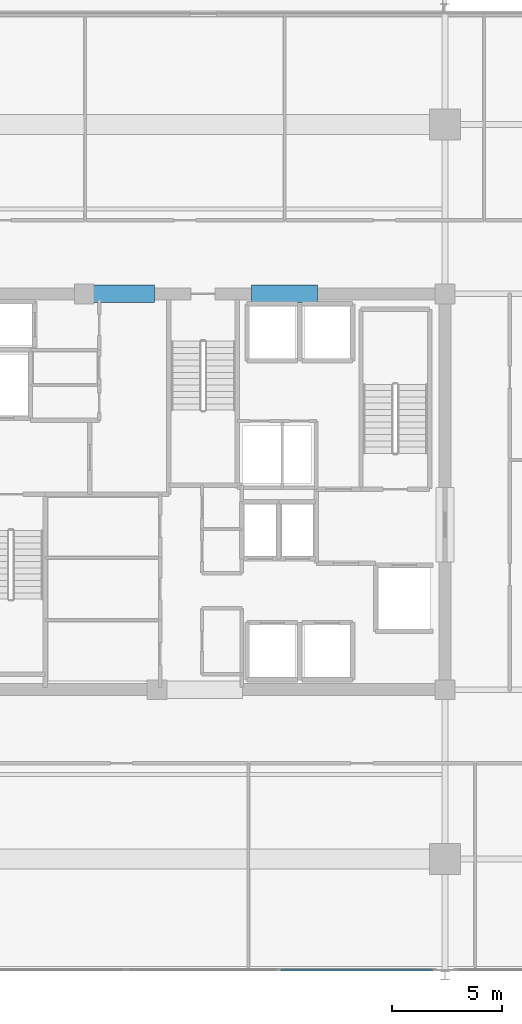
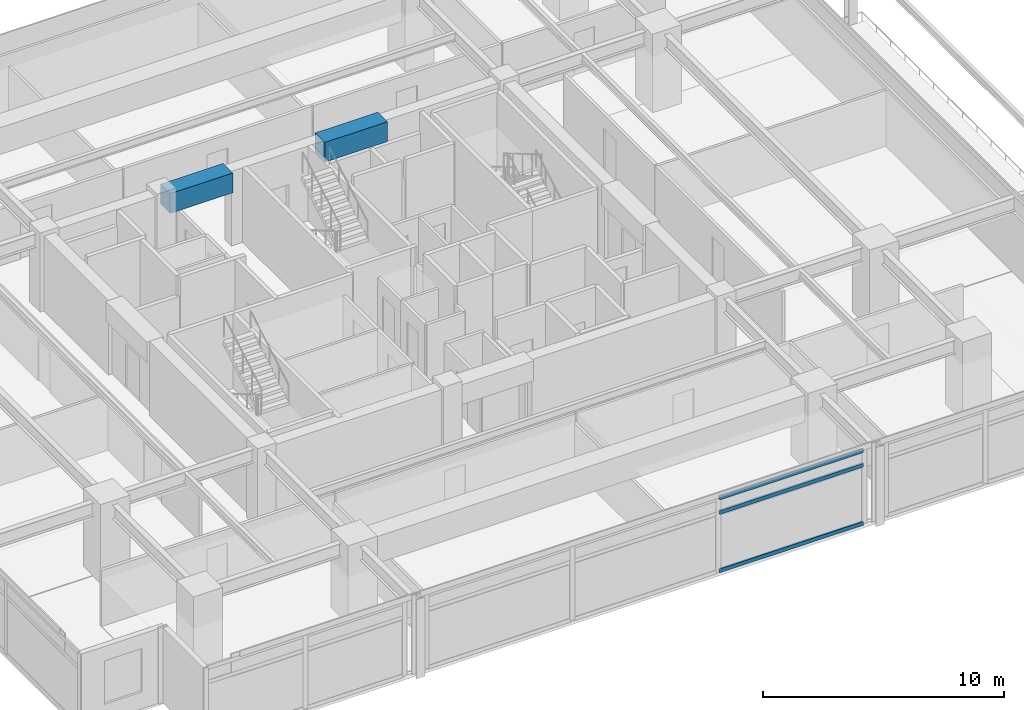
# One storey, part 8 of 21: 3 members, 2 beams, 1 element without a shape of its own.
"""IFC4 building model written with IfcOpenShell, lengths in metres."""

import ifcopenshell
import ifcopenshell.guid

model = None  # the IFC model being written
_history = None  # IfcOwnerHistory: only IFC2X3 demands one
_inside = {}  # id of a spatial element -> (the spatial element, [elements in it])
_under = {}  # id of a project, library or spatial element -> (it, [spatial elements below it])
_declared = {}  # id of a project -> (the project, [libraries it declares])
_typed = {}  # id of a type object -> (the type object, [elements of that type])
_made_of = {}  # id of a material, layer set ... -> (it, [elements and type objects made of it])


def new_model(schema):
    """Start an empty IFC model of exactly this schema.

    Asked for "IFC4X3", IfcOpenShell would pick the latest addendum, in which some entities
    have other attributes; the version numbers below select the first issue.
    IFC2X3 requires an IfcOwnerHistory on every rooted entity: one is made here for all.
    """
    global model, _history
    if schema == "IFC4X3":
        model = ifcopenshell.file(schema_version=(4, 3, 0, 0))
    else:
        model = ifcopenshell.file(schema=schema)
    _inside.clear()
    _under.clear()
    _declared.clear()
    _typed.clear()
    _made_of.clear()
    _history = None
    if model.schema == "IFC2X3":
        org = make("IfcOrganization", Name="unknown")
        user = make(
            "IfcPersonAndOrganization",
            ThePerson=make("IfcPerson", FamilyName="unknown"),
            TheOrganization=org,
        )
        app = make(
            "IfcApplication",
            ApplicationDeveloper=org,
            Version="unknown",
            ApplicationFullName="unknown",
            ApplicationIdentifier="unknown",
        )
        _history = make(
            "IfcOwnerHistory",
            OwningUser=user,
            OwningApplication=app,
            ChangeAction="ADDED",
            CreationDate=0,
        )
    return model


def make(cls, **values):
    """One entity of the class cls with the attributes given. An attribute that is None is left unset."""
    return model.create_entity(
        cls, **{name: value for name, value in values.items() if value is not None}
    )


def rooted(cls, **values):
    """An entity with a GlobalId (a new one), such as an element, a storey or a relation."""
    return make(cls, GlobalId=ifcopenshell.guid.new(), OwnerHistory=_history, **values)


def si_unit(unit_type, name, prefix=None):
    """IfcSIUnit, for example si_unit("LENGTHUNIT", "METRE", prefix="MILLI")."""
    return make("IfcSIUnit", UnitType=unit_type, Prefix=prefix, Name=name)


def assignment(units):
    """IfcUnitAssignment: the units of a project."""
    return None if units is None else make("IfcUnitAssignment", Units=units)


def point(xyz):
    """IfcCartesianPoint."""
    return None if xyz is None else make("IfcCartesianPoint", Coordinates=xyz)


def direction(xyz):
    """IfcDirection."""
    return None if xyz is None else make("IfcDirection", DirectionRatios=xyz)


def frame(location, z_axis=None, x_axis=None):
    """IfcAxis2Placement3D, a coordinate frame: its origin and axes. An axis left out is left unset."""
    return make(
        "IfcAxis2Placement3D",
        Location=point(location),
        Axis=direction(z_axis),
        RefDirection=direction(x_axis),
    )


def frame_2d(location, x_axis=None):
    """IfcAxis2Placement2D, a coordinate frame in the plane: its origin and x axis."""
    return make(
        "IfcAxis2Placement2D", Location=point(location), RefDirection=direction(x_axis)
    )


def origin():
    """The frame at (0, 0, 0) with its axes left unset."""
    return frame((0.0, 0.0, 0.0))


def origin_2d():
    """The frame at (0, 0) in the plane with its x axis left unset."""
    return frame_2d((0.0, 0.0))


def place(relative_to, where):
    """IfcLocalPlacement: puts the frame where relative to a parent placement (None: the world)."""
    return make(
        "IfcLocalPlacement", PlacementRelTo=relative_to, RelativePlacement=where
    )


def context(
    kind, dimensions, precision=None, world=None, true_north=None, identifier=None
):
    """IfcGeometricRepresentationContext, for example the 3D "Model" context."""
    return make(
        "IfcGeometricRepresentationContext",
        ContextIdentifier=identifier,
        ContextType=kind,
        CoordinateSpaceDimension=dimensions,
        Precision=precision,
        WorldCoordinateSystem=world,
        TrueNorth=true_north,
    )


def subcontext(parent, identifier, kind, view, scale=None):
    """IfcGeometricRepresentationSubContext, for example "Body" below "Model"."""
    return make(
        "IfcGeometricRepresentationSubContext",
        ContextIdentifier=identifier,
        ContextType=kind,
        ParentContext=parent,
        TargetScale=scale,
        TargetView=view,
    )


def project(units=None, contexts=None):
    """IfcProject with its units and contexts."""
    return rooted(
        "IfcProject",
        Name="project",
        RepresentationContexts=contexts,
        UnitsInContext=assignment(units),
    )


def spatial(cls, under=None, at=None, **own):
    """A site, building, storey or space (cls), placed at a placement, below another one or the project."""
    s = rooted(cls, ObjectPlacement=at, **own)
    if under is not None:
        _under.setdefault(under.id(), (under, []))[1].append(s)
    return s


def profile(cls, at=None, kind="AREA", **sizes):
    """A parametric profile (cls). Its sizes go by their IFC names, for example OverallWidth=200.0."""
    return make(cls, ProfileType=kind, Position=at, **sizes)


def rectangle(**sizes):
    """IfcRectangleProfileDef."""
    return profile("IfcRectangleProfileDef", **sizes)


def hollow_rectangle(**sizes):
    """IfcRectangleHollowProfileDef."""
    return profile("IfcRectangleHollowProfileDef", **sizes)


def extrude(swept, where, along, depth):
    """IfcExtrudedAreaSolid: the profile swept, set in the frame where, extruded along a direction by depth."""
    return make(
        "IfcExtrudedAreaSolid",
        SweptArea=swept,
        Position=where,
        ExtrudedDirection=direction(along),
        Depth=depth,
    )


def shape(context_of_items, identifier, shape_type, items):
    """IfcShapeRepresentation: the items that make up one representation, for example the "Body"."""
    return make(
        "IfcShapeRepresentation",
        ContextOfItems=context_of_items,
        RepresentationIdentifier=identifier,
        RepresentationType=shape_type,
        Items=items,
    )


def material(Name=None, Category=None):
    """IfcMaterial."""
    return make("IfcMaterial", Name=Name, Category=Category)


def material_profile(
    of_material, cross_section, Name=None, Category=None, Priority=None
):
    """IfcMaterialProfile: a cross section and its material."""
    return make(
        "IfcMaterialProfile",
        Name=Name,
        Material=of_material,
        Profile=cross_section,
        Priority=Priority,
        Category=Category,
    )


def profile_set(profiles, Name=None, composite=None):
    """IfcMaterialProfileSet."""
    return make(
        "IfcMaterialProfileSet",
        Name=Name,
        MaterialProfiles=profiles,
        CompositeProfile=composite,
    )


def made_of(thing, what):
    """Note that an element or type object is made of a material, layer set ...; save() writes the relation."""
    if what is not None:
        _made_of.setdefault(what.id(), (what, []))[1].append(thing)
    return thing


def type_object(cls, material=None, **own):
    """A type object (cls), such as IfcWallType, which elements share."""
    return made_of(rooted(cls, **own), material)


def element(
    cls,
    number,
    at=None,
    inside=None,
    cuts=None,
    type_object=None,
    material=None,
    context=None,
    identifier="Body",
    shape_type=None,
    held_by="IfcProductDefinitionShape",
    body=None,
    shapes=None,
    **own,
):
    """One element of the class cls, such as IfcWall. Its Tag is "e" and its number.

    at: its placement. inside: the storey or other place that contains it. cuts: it is an
    opening in that element (IfcRelVoidsElement). A single representation is given by context,
    identifier, shape_type and body (its items); several are given by shapes. held_by: the class
    of the entity that holds the representations. save() writes the other relations.
    """
    e = rooted(cls, Tag="e%d" % number, ObjectPlacement=at, **own)
    if body is not None:
        shapes = [shape(context, identifier, shape_type, body)]
    if shapes is not None:
        e.Representation = make(held_by, Representations=shapes)
    if inside is not None:
        _inside.setdefault(inside.id(), (inside, []))[1].append(e)
    if cuts is not None:
        rooted(
            "IfcRelVoidsElement", RelatingBuildingElement=cuts, RelatedOpeningElement=e
        )
    if type_object is not None:
        _typed.setdefault(type_object.id(), (type_object, []))[1].append(e)
    return made_of(e, material)


def aggregate(whole, parts):
    """IfcRelAggregates: a whole, such as a stair, and the parts it consists of."""
    return rooted("IfcRelAggregates", RelatingObject=whole, RelatedObjects=parts)


def save(model, path):
    """Write the relations noted so far, then the file.

    IfcRelAggregates (storeys below a building ...), IfcRelContainedInSpatialStructure (elements
    in a storey), IfcRelDefinesByType, IfcRelAssociatesMaterial and IfcRelDeclares: one each for
    every whole, place, type object, material and project.
    """
    for whole, parts in _under.values():
        aggregate(whole, parts)
    for where, things in _inside.values():
        rooted(
            "IfcRelContainedInSpatialStructure",
            RelatedElements=things,
            RelatingStructure=where,
        )
    for kind, things in _typed.values():
        rooted("IfcRelDefinesByType", RelatedObjects=things, RelatingType=kind)
    for what, things in _made_of.values():
        rooted("IfcRelAssociatesMaterial", RelatedObjects=things, RelatingMaterial=what)
    for by, libraries in _declared.values():
        rooted("IfcRelDeclares", RelatingContext=by, RelatedDefinitions=libraries)
    model.write(path)


model = new_model("IFC4")

# Units and contexts
model_context = context("Model", 3, precision=1e-05, world=origin(), true_north=direction((0.0, 1.0)))
body_context = subcontext(model_context, "Body", "Model", "MODEL_VIEW")
ifc_project = project(units=[si_unit("LENGTHUNIT", "METRE"), si_unit("AREAUNIT", "SQUARE_METRE"), si_unit("VOLUMEUNIT", "CUBIC_METRE"), si_unit("PLANEANGLEUNIT", "RADIAN"), si_unit("MASSUNIT", "GRAM", prefix="KILO")], contexts=[model_context])

# Site, building, storey
site_placement = place(None, origin())
site = spatial("IfcSite", under=ifc_project, at=site_placement, CompositionType="ELEMENT")
building_placement = place(site_placement, origin())
building = spatial("IfcBuilding", under=site, at=building_placement, Name="Kovane Verandah Tower", CompositionType="ELEMENT")
storey_placement = place(building_placement, frame((0.0, 0.0, 209.199951171875)))
storey = spatial("IfcBuildingStorey", under=building, at=storey_placement, Name="L48", CompositionType="ELEMENT", Elevation=209.199951171875)

# Beams
ifc_material_1 = material(Name="Concrete C60/75", Category="concrete")
ifc_material_profile_1 = material_profile(ifc_material_1, rectangle(XDim=0.800048828125, YDim=1.0, at=origin_2d()), Name="RCB800x1000")
ifc_profile_set_1 = profile_set([ifc_material_profile_1], Name="Concrete C60/75")
beam_type = type_object("IfcBeamType", Name="BM-LINTEL-800x1000", PredefinedType="LINTEL", material=ifc_profile_set_1)
for number, where, z_axis, x_axis, name in (
    (1, (34.800048828125, 36.5, 3.275146484375), (1.0, 0.0, 0.0), (0.0, 1.0, 0.0), "L48 Core Coupling Lintel CL-N1"),
    (2, (42.199951171875, 36.5, 3.275146484375), (1.0, 0.0, 0.0), (0.0, 1.0, 0.0), "L48 Core Coupling Lintel CL-N2"),
):
    element("IfcBeam", number, at=place(storey_placement, frame(where, z_axis=z_axis, x_axis=x_axis)), inside=storey, type_object=beam_type, Name=name, PredefinedType="LINTEL", context=body_context, shape_type="SweptSolid", body=[
        extrude(rectangle(XDim=0.800048828125, YDim=1.0, at=origin_2d()), origin(), (0.0, 0.0, 1.0), 3.0),
    ])

# Curtain wall, members
ifc_material_2 = material(Name="Champagne Anodised Aluminium Frame with Low-E Clear Laminated Glass", Category="aluminium")
curtain_wall_type = type_object("IfcCurtainWallType", Name="CW-SYS-03-MID", PredefinedType="NOTDEFINED", material=ifc_material_2)
curtain_wall_placement = place(storey_placement, origin())
curtain_wall = element("IfcCurtainWall", 3, at=curtain_wall_placement, inside=storey, type_object=curtain_wall_type, Name="L48 S Unitised Curtain Wall-2", PredefinedType="NOTDEFINED")
ifc_material_3 = material(Name="Champagne Anodised Aluminium 6063-T6", Category="aluminium")
ifc_material_profile_2 = material_profile(ifc_material_3, hollow_rectangle(XDim=0.0849609375, YDim=0.18994140625, WallThickness=0.00390625, at=origin_2d()), Name="AL85x190x4")
ifc_profile_set_2 = profile_set([ifc_material_profile_2], Name="Champagne Anodised Aluminium 6063-T6")
member_type = type_object("IfcMemberType", Name="CW-TRN-85x190", PredefinedType="USERDEFINED", material=ifc_profile_set_2)
member_1_placement = place(storey_placement, frame((43.543212890625, 5.75830078125, 0.050048828125), z_axis=(1.0, 0.0, 0.0), x_axis=(0.0, 1.0, 0.0)))
member_1 = element("IfcMember", 4, at=member_1_placement, type_object=member_type, Name="L48 S Unitised Curtain Wall-2 Transom TB Bay 3", ObjectType="TRANSOM", PredefinedType="USERDEFINED", context=body_context, shape_type="SweptSolid", body=[
    extrude(hollow_rectangle(XDim=0.0849609375, YDim=0.18994140625, WallThickness=0.00390625, at=origin_2d()), origin(), (0.0, 0.0, 1.0), 6.88671875),
])
member_2_placement = place(storey_placement, frame((43.543212890625, 5.75830078125, 2.9951171875), z_axis=(1.0, 0.0, 0.0), x_axis=(0.0, 1.0, 0.0)))
member_2 = element("IfcMember", 5, at=member_2_placement, type_object=member_type, Name="L48 S Unitised Curtain Wall-2 Transom TM Bay 3", ObjectType="TRANSOM", PredefinedType="USERDEFINED", context=body_context, shape_type="SweptSolid", body=[
    extrude(hollow_rectangle(XDim=0.0849609375, YDim=0.18994140625, WallThickness=0.00390625, at=origin_2d()), origin(), (0.0, 0.0, 1.0), 6.88671875),
])
member_3_placement = place(storey_placement, frame((43.543212890625, 5.75830078125, 3.72509765625), z_axis=(1.0, 0.0, 0.0), x_axis=(0.0, 1.0, 0.0)))
member_3 = element("IfcMember", 6, at=member_3_placement, type_object=member_type, Name="L48 S Unitised Curtain Wall-2 Transom TT Bay 3", ObjectType="TRANSOM", PredefinedType="USERDEFINED", context=body_context, shape_type="SweptSolid", body=[
    extrude(hollow_rectangle(XDim=0.0849609375, YDim=0.18994140625, WallThickness=0.00390625, at=origin_2d()), origin(), (0.0, 0.0, 1.0), 6.88671875),
])
aggregate(curtain_wall, [member_1, member_2, member_3])

save(model, "model.ifc")
